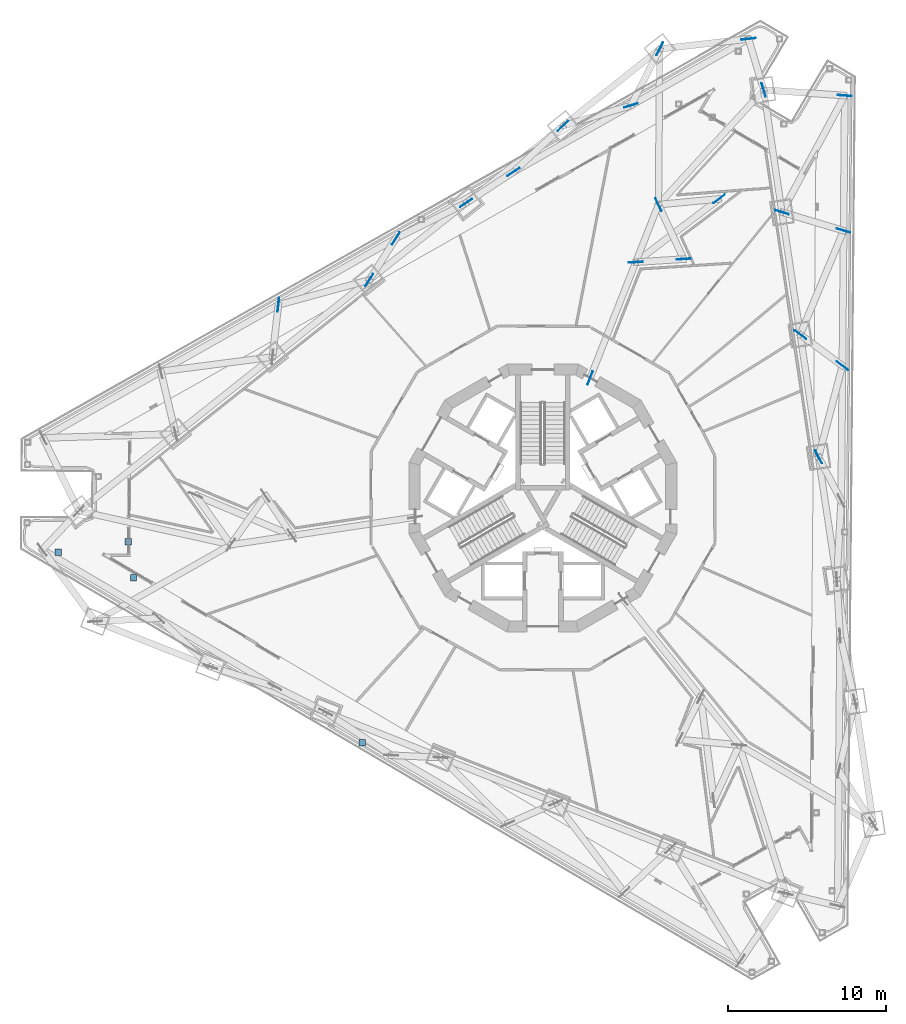
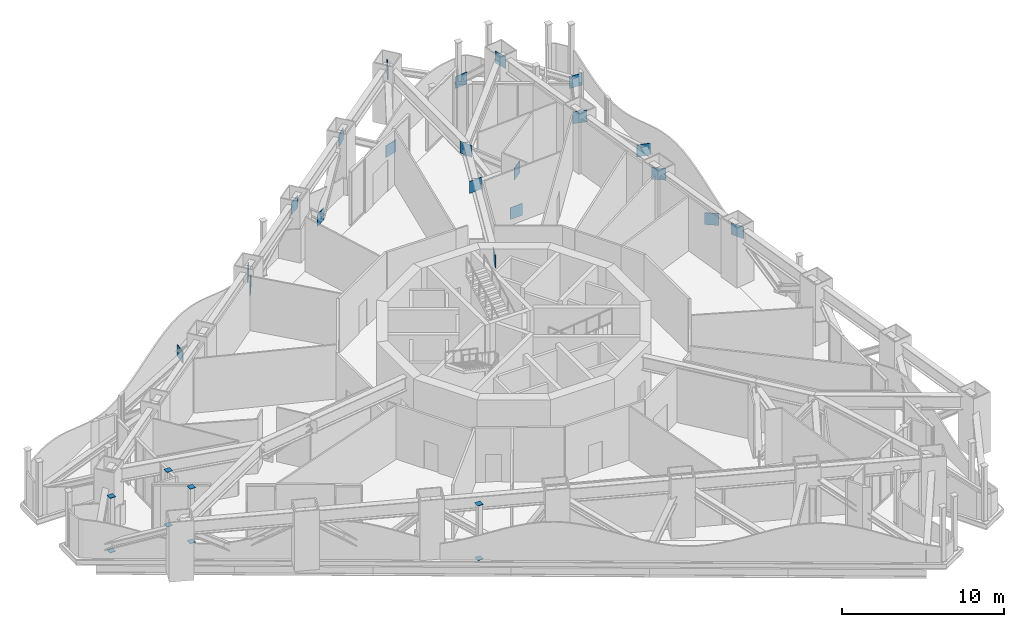
# One storey, part 17 of 27: 29 discrete accessories.
"""IFC4 building model written with IfcOpenShell, lengths in metres."""

from ifc_helpers import new_model, si_unit, direction, frame, origin, origin_2d, place, context, subcontext, project, spatial, rectangle, extrude, material, element, save


model = new_model("IFC4")

# Units and contexts
model_context = context("Model", 3, precision=1e-05, world=origin(), true_north=direction((0.0, 1.0)))
body_context = subcontext(model_context, "Body", "Model", "MODEL_VIEW")
ifc_project = project(units=[si_unit("LENGTHUNIT", "METRE"), si_unit("AREAUNIT", "SQUARE_METRE"), si_unit("VOLUMEUNIT", "CUBIC_METRE"), si_unit("PLANEANGLEUNIT", "RADIAN"), si_unit("MASSUNIT", "GRAM", prefix="KILO")], contexts=[model_context])

# Site, building, storey
site_placement = place(None, origin())
site = spatial("IfcSite", under=ifc_project, at=site_placement, CompositionType="ELEMENT")
building_placement = place(site_placement, origin())
building = spatial("IfcBuilding", under=site, at=building_placement, Name="Trine Commons Tower", CompositionType="ELEMENT")
storey_placement = place(building_placement, frame((0.0, 0.0, 193.5)))
storey = spatial("IfcBuildingStorey", under=building, at=storey_placement, Name="L50", CompositionType="ELEMENT", Elevation=193.5)

# Discrete accessories
ifc_material = material(Name="Structural steel ASTM A572 Gr50", Category="steel")
for number, where, z_axis, x_axis, name in (
    (1, (63.215087890625, 74.761962890625, 0.024658203125), (0.0, 0.0, 1.0), (-0.1117811281, -0.993732851123, 0.0), "Gusset plate GP5-08"),
    (2, (70.6748046875, 78.982421875, 0.024658203125), (0.0, 0.0, 1.0), (-0.538859003461, -0.842395972443, 0.0), "Gusset plate GP5-10"),
    (3, (78.13427734375, 83.202880859375, 0.024658203125), (0.0, 0.0, 1.0), (-0.835998955561, -0.548731032748, 0.0), "Gusset plate GP5-12"),
    (4, (85.59375, 87.423095703125, 0.024658203125), (0.0, 0.0, 1.0), (-0.957294271104, -0.28911533773, 0.0), "Gusset plate GP5-14"),
    (5, (88.935546875, 77.66943359375, 0.024658203125), (0.0, 0.0, 1.0), (-0.99793920357, -0.06416654875, 0.0), "Gusset plate GP5-16"),
    (6, (91.185302734375, 81.488525390625, 0.024658203125), (0.0, 0.0, 1.0), (-0.796403273613, -0.604765926437, 0.0), "Gusset plate GP5-18"),
    (7, (93.052978515625, 91.6435546875, 0.024658203125), (0.0, 0.0, 1.0), (-0.993658496521, -0.112440172052, 0.0), "Gusset plate GP5-20"),
    (8, (99.01171875, 70.905029296875, 0.024658203125), (0.0, 0.0, 1.0), (-0.804696967949, 0.593685766862, 0.0), "Gusset plate GP5-25"),
    (9, (99.08642578125, 79.475341796875, 0.024658203125), (0.0, 0.0, 1.0), (-0.958167861922, 0.286206827975, 0.0), "Gusset plate GP5-26"),
    (10, (99.1611328125, 88.045654296875, 0.024658203125), (0.0, 0.0, 1.0), (-0.997531067535, 0.070226556965, 0.0), "Gusset plate GP5-27"),
    (11, (68.9873046875, 76.3447265625, 3.185546875), (0.0, 0.0, 1.0), (-0.538859003461, -0.842395972443, 0.0), "Gusset plate GP5-36"),
    (12, (75.13134765625, 81.231689453125, 3.185546875), (0.0, 0.0, 1.0), (-0.835998955561, -0.548731032748, 0.0), "Gusset plate GP5-39"),
    (13, (81.275390625, 86.118896484375, 3.185546875), (0.0, 0.0, 1.0), (0.732863599591, 0.680375590681, 0.0), "Gusset plate GP5-41"),
    (14, (83.00341796875, 70.12451171875, 3.185546875), (0.0, 0.0, 1.0), (0.366501226724, 0.930417567982, 0.0), "Gusset plate GP5-42"),
    (15, (85.8984375, 77.47412109375, 3.185546875), (0.0, 0.0, 1.0), (-0.99793920357, -0.06416654875, 0.0), "Gusset plate GP5-44"),
    (16, (87.336669921875, 81.125244140625, 3.185546875), (0.0, 0.0, 1.0), (-0.419879815916, 0.90757971561, 0.0), "Gusset plate GP5-45"),
    (17, (87.419189453125, 91.006103515625, 3.185546875), (0.0, 0.0, 1.0), (0.45399049974, 0.891006524188, 0.0), "Gusset plate GP5-46"),
    (18, (94.014892578125, 88.407958984375, 3.185546875), (0.0, 0.0, 1.0), (0.284952344331, -0.95854168478, 0.0), "Gusset plate GP5-50"),
    (19, (95.17529296875, 80.6435546875, 3.185546875), (0.0, 0.0, 1.0), (-0.958167861922, 0.286206827975, 0.0), "Gusset plate GP5-51"),
    (20, (96.335693359375, 72.879150390625, 3.185546875), (0.0, 0.0, 1.0), (-0.804696967949, 0.593685766862, 0.0), "Gusset plate GP5-53"),
    (21, (97.49609375, 65.11474609375, 3.185546875), (0.0, 0.0, 1.0), (-0.460106810451, 0.887863572277, 0.0), "Gusset plate GP5-54"),
):
    element("IfcDiscreteAccessory", number, at=place(storey_placement, frame(where, z_axis=z_axis, x_axis=x_axis)), inside=storey, material=ifc_material, Name=name, PredefinedType="BRACKET", context=body_context, shape_type="SweptSolid", body=[
        extrude(rectangle(XDim=0.89990234375, YDim=0.0400390625, at=origin_2d()), origin(), (0.0, 0.0, 1.0), 0.89990234375),
    ])
for number, where, z_axis, x_axis, name in (
    (22, (54.029296875, 57.455810546875, 0.0), (0.0, 0.0, 1.0), (1.0, 0.0, 0.0), "Post base plate SP5-12"),
    (23, (54.029296875, 57.455810546875, 4.1201171875), (0.0, 0.0, 1.0), (1.0, 0.0, 0.0), "Post cap plate SP5-12"),
    (24, (53.689453125, 59.730712890625, 0.0), (0.0, 0.0, 1.0), (1.0, 0.0, 0.0), "Post base plate SP5-13"),
    (25, (53.689453125, 59.730712890625, 4.1201171875), (0.0, 0.0, 1.0), (1.0, 0.0, 0.0), "Post cap plate SP5-13"),
    (26, (49.239013671875, 59.0654296875, 0.0), (0.0, 0.0, 1.0), (1.0, 0.0, 0.0), "Post base plate SP5-14"),
    (27, (49.239013671875, 59.0654296875, 4.1201171875), (0.0, 0.0, 1.0), (1.0, 0.0, 0.0), "Post cap plate SP5-14"),
    (28, (68.549560546875, 46.97607421875, 0.0), (0.0, 0.0, 1.0), (1.0, 0.0, 0.0), "Post base plate SP5-31"),
    (29, (68.549560546875, 46.97607421875, 4.1201171875), (0.0, 0.0, 1.0), (1.0, 0.0, 0.0), "Post cap plate SP5-31"),
):
    element("IfcDiscreteAccessory", number, at=place(storey_placement, frame(where, z_axis=z_axis, x_axis=x_axis)), inside=storey, material=ifc_material, Name=name, PredefinedType="BRACKET", context=body_context, shape_type="SweptSolid", body=[
        extrude(rectangle(XDim=0.39990234375, YDim=0.39990234375, at=origin_2d()), origin(), (0.0, 0.0, 1.0), 0.030029296875),
    ])

save(model, "model.ifc")
